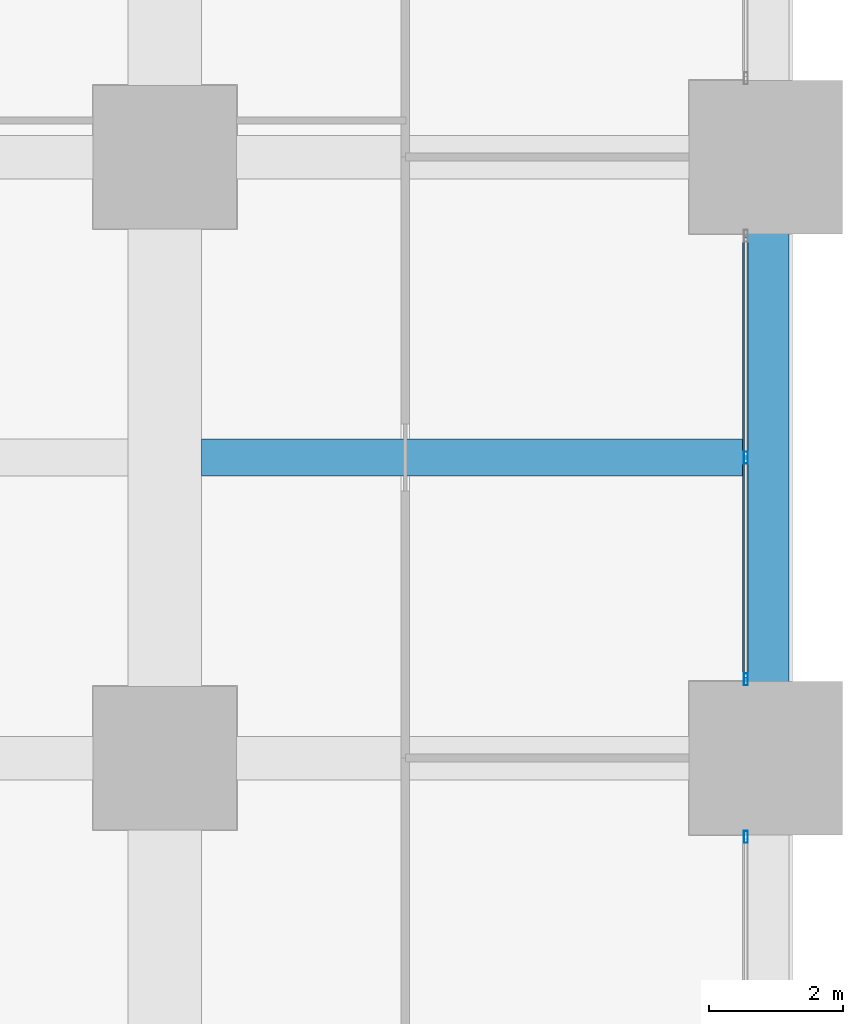
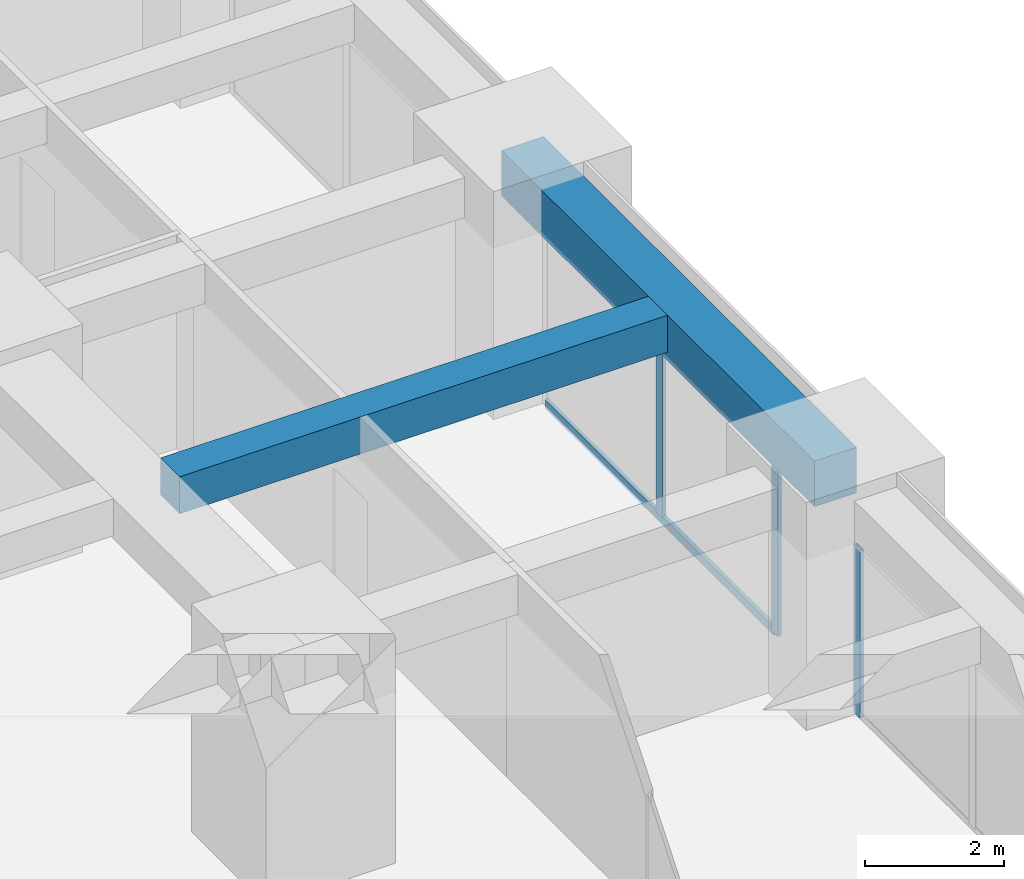
# One storey, part 22 of 44: 4 members, 2 beams, 2 elements without a shape of their own.
"""IFC4 building model written with IfcOpenShell, lengths in metres."""

from ifc_helpers import new_model, si_unit, direction, frame, origin, origin_2d, place, context, subcontext, project, spatial, rectangle, hollow_rectangle, extrude, material, material_profile, profile_set, type_object, element, aggregate, save


model = new_model("IFC4")

# Units and contexts
model_context = context("Model", 3, precision=1e-05, world=origin(), true_north=direction((0.0, 1.0)))
body_context = subcontext(model_context, "Body", "Model", "MODEL_VIEW")
ifc_project = project(units=[si_unit("LENGTHUNIT", "METRE"), si_unit("AREAUNIT", "SQUARE_METRE"), si_unit("VOLUMEUNIT", "CUBIC_METRE"), si_unit("PLANEANGLEUNIT", "RADIAN"), si_unit("MASSUNIT", "GRAM", prefix="KILO")], contexts=[model_context])

# Site, building, storey
site_placement = place(None, origin())
site = spatial("IfcSite", under=ifc_project, at=site_placement, CompositionType="ELEMENT")
building_placement = place(site_placement, origin())
building = spatial("IfcBuilding", under=site, at=building_placement, Name="Zorevar Civic Tower", CompositionType="ELEMENT")
storey_placement = place(building_placement, frame((0.0, 0.0, 51.800048828125)))
storey = spatial("IfcBuildingStorey", under=building, at=storey_placement, Name="L12", CompositionType="ELEMENT", Elevation=51.800048828125)

# Beam
ifc_material_1 = material(Name="Concrete C50/60", Category="concrete")
ifc_material_profile_1 = material_profile(ifc_material_1, rectangle(XDim=0.550048828125, YDim=0.64990234375, at=origin_2d()), Name="RC 550x650")
ifc_profile_set_1 = profile_set([ifc_material_profile_1], Name="Concrete C50/60")
beam_type_1 = type_object("IfcBeamType", Name="Beam RC 550x650", PredefinedType="BEAM", material=ifc_profile_set_1)
beam_1_placement = place(storey_placement, frame((54.550048828125, 31.5, 3.425048828125), z_axis=(1.0, 0.0, 0.0), x_axis=(0.0, 1.0, 0.0)))
element("IfcBeam", 1, at=beam_1_placement, inside=storey, type_object=beam_type_1, Name="Secondary beam L13", PredefinedType="BEAM", context=body_context, shape_type="SweptSolid", body=[
    extrude(rectangle(XDim=0.550048828125, YDim=0.64990234375, at=origin_2d()), origin(), (0.0, 0.0, 1.0), 8.099853515625),
])

# Curtain wall, member
ifc_material_2 = material(Name="Dark grey solar-control glass in black aluminium frame", Category="aluminium")
curtain_wall_type = type_object("IfcCurtainWallType", Name="Curtain wall CW2 low zone", PredefinedType="NOTDEFINED", material=ifc_material_2)
curtain_wall_1_placement = place(storey_placement, origin())
curtain_wall_1 = element("IfcCurtainWall", 2, at=curtain_wall_1_placement, inside=storey, type_object=curtain_wall_type, Name="CW2 L12", PredefinedType="NOTDEFINED")
ifc_material_3 = material(Name="Aluminium, black anodised", Category="aluminium")
ifc_material_profile_2 = material_profile(ifc_material_3, hollow_rectangle(XDim=0.06005859375, YDim=0.179931640625, WallThickness=0.00390625, at=origin_2d()), Name="AL 180x60x4")
ifc_profile_set_2 = profile_set([ifc_material_profile_2], Name="Aluminium, black anodised")
member_type_1 = type_object("IfcMemberType", Name="CW2 mullion AL 180x60x4", PredefinedType="MULLION", material=ifc_profile_set_2)
member_1_placement = place(storey_placement, frame((62.699951171875, 25.820068359375, 0.0), z_axis=(0.0, 0.0, 1.0), x_axis=(-1.0, 0.0, 0.0)))
member_1 = element("IfcMember", 3, at=member_1_placement, type_object=member_type_1, Name="CW2 mullion 3", PredefinedType="MULLION", context=body_context, shape_type="SweptSolid", body=[
    extrude(hollow_rectangle(XDim=0.06005859375, YDim=0.179931640625, WallThickness=0.00390625, at=origin_2d()), origin(), (0.0, 0.0, 1.0), 2.949951171875),
])
aggregate(curtain_wall_1, [member_1])

# Curtain wall, members
curtain_wall_2_placement = place(storey_placement, origin())
curtain_wall_2 = element("IfcCurtainWall", 4, at=curtain_wall_2_placement, inside=storey, type_object=curtain_wall_type, Name="CW2 L12", PredefinedType="NOTDEFINED")
member_2_placement = place(storey_placement, frame((62.699951171875, 28.179931640625, 0.0), z_axis=(0.0, 0.0, 1.0), x_axis=(-1.0, 0.0, 0.0)))
member_2 = element("IfcMember", 5, at=member_2_placement, type_object=member_type_1, Name="CW2 mullion 1", PredefinedType="MULLION", context=body_context, shape_type="SweptSolid", body=[
    extrude(hollow_rectangle(XDim=0.06005859375, YDim=0.179931640625, WallThickness=0.00390625, at=origin_2d()), origin(), (0.0, 0.0, 1.0), 2.949951171875),
])
member_3_placement = place(storey_placement, frame((62.699951171875, 31.5, 0.06005859375), z_axis=(0.0, 0.0, 1.0), x_axis=(-1.0, 0.0, 0.0)))
member_3 = element("IfcMember", 6, at=member_3_placement, type_object=member_type_1, Name="CW2 mullion 2", PredefinedType="MULLION", context=body_context, shape_type="SweptSolid", body=[
    extrude(hollow_rectangle(XDim=0.06005859375, YDim=0.179931640625, WallThickness=0.00390625, at=origin_2d()), origin(), (0.0, 0.0, 1.0), 2.889892578125),
])
ifc_material_4 = material(Name="Aluminium, black anodised", Category="aluminium")
ifc_material_profile_3 = material_profile(ifc_material_4, hollow_rectangle(XDim=0.06005859375, YDim=0.14990234375, WallThickness=0.00390625, at=origin_2d()), Name="AL 150x60x4")
ifc_profile_set_3 = profile_set([ifc_material_profile_3], Name="Aluminium, black anodised")
member_type_2 = type_object("IfcMemberType", Name="CW2 transom AL 150x60x4", PredefinedType="USERDEFINED", material=ifc_profile_set_3)
member_4_placement = place(storey_placement, frame((62.699951171875, 28.2099609375, 0.030029296875), z_axis=(0.0, 1.0, 0.0), x_axis=(-1.0, 0.0, 0.0)))
member_4 = element("IfcMember", 7, at=member_4_placement, type_object=member_type_2, Name="CW2 sill transom", ObjectType="TRANSOM", PredefinedType="USERDEFINED", context=body_context, shape_type="SweptSolid", body=[
    extrude(hollow_rectangle(XDim=0.06005859375, YDim=0.14990234375, WallThickness=0.00390625, at=origin_2d()), origin(), (0.0, 0.0, 1.0), 6.580078125),
])
aggregate(curtain_wall_2, [member_2, member_3, member_4])

# Beam
ifc_material_5 = material(Name="Concrete C50/60", Category="concrete")
ifc_material_profile_4 = material_profile(ifc_material_5, rectangle(XDim=0.699951171875, YDim=0.800048828125, at=origin_2d()), Name="RC 700x800")
ifc_profile_set_4 = profile_set([ifc_material_profile_4], Name="Concrete C50/60")
beam_type_2 = type_object("IfcBeamType", Name="Edge beam RC 700x800", PredefinedType="SPANDREL", material=ifc_profile_set_4)
beam_2_placement = place(storey_placement, frame((63.0, 27.0, 3.349853515625), z_axis=(0.0, 1.0, 0.0), x_axis=(-1.0, 0.0, 0.0)))
element("IfcBeam", 8, at=beam_2_placement, inside=storey, type_object=beam_type_2, Name="Edge beam L13", PredefinedType="SPANDREL", context=body_context, shape_type="SweptSolid", body=[
    extrude(rectangle(XDim=0.699951171875, YDim=0.800048828125, at=origin_2d()), origin(), (0.0, 0.0, 1.0), 9.0),
])

save(model, "model.ifc")
